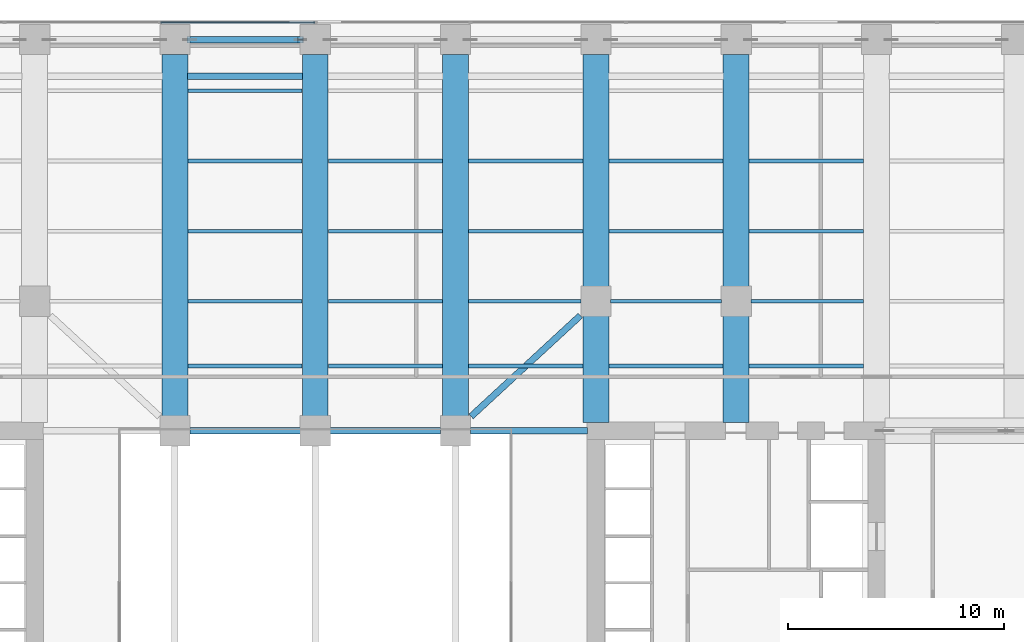
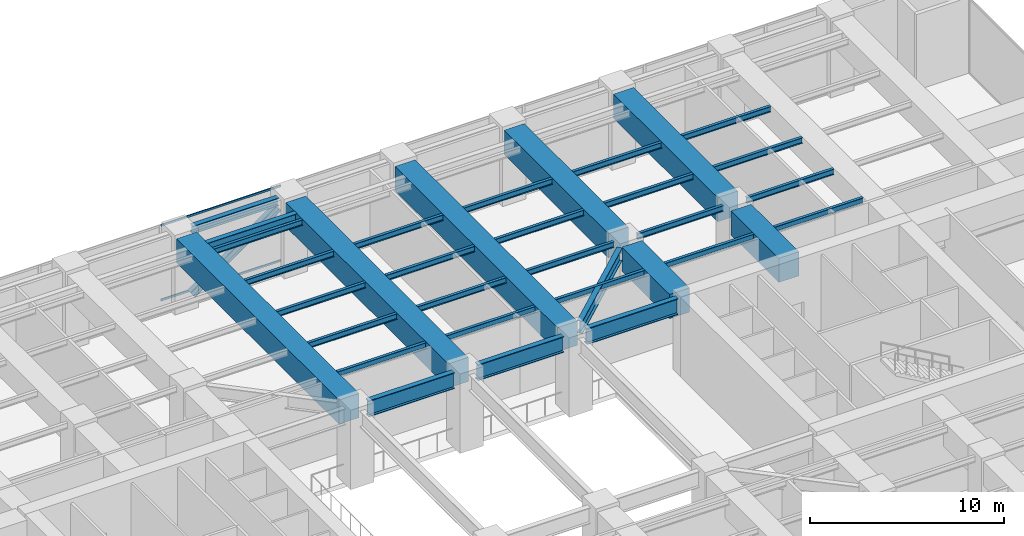
# One storey, part 11 of 31: 34 beams, 3 members, 1 element without a shape of its own.
"""IFC4 building model written with IfcOpenShell, lengths in metres."""

from ifc_helpers import new_model, si_unit, direction, frame, origin, origin_2d, place, context, subcontext, project, spatial, rectangle, i_section, extrude, material, layer, layer_set, material_profile, profile_set, type_object, element, aggregate, save


model = new_model("IFC4")

# Units and contexts
model_context = context("Model", 3, precision=1e-05, world=origin(), true_north=direction((0.0, 1.0)))
body_context = subcontext(model_context, "Body", "Model", "MODEL_VIEW")
ifc_project = project(units=[si_unit("LENGTHUNIT", "METRE"), si_unit("AREAUNIT", "SQUARE_METRE"), si_unit("VOLUMEUNIT", "CUBIC_METRE"), si_unit("PLANEANGLEUNIT", "RADIAN"), si_unit("MASSUNIT", "GRAM", prefix="KILO")], contexts=[model_context])

# Site, building, storey
site_placement = place(None, origin())
site = spatial("IfcSite", under=ifc_project, at=site_placement, CompositionType="ELEMENT")
building_placement = place(site_placement, origin())
building = spatial("IfcBuilding", under=site, at=building_placement, Name="Putna Gate Headquarters", CompositionType="ELEMENT")
storey_placement = place(building_placement, frame((0.0, 0.0, 81.0)))
storey = spatial("IfcBuildingStorey", under=building, at=storey_placement, Name="L19", CompositionType="ELEMENT", Elevation=81.0)

# Beams
ifc_material_1 = material(Name="Steel S355J2", Category="steel")
ifc_material_profile_1 = material_profile(ifc_material_1, i_section(OverallWidth=0.300048828125, OverallDepth=0.800048828125, WebThickness=0.017578125, FlangeThickness=0.032958984375, at=origin_2d()), Name="Steel S355J2")
ifc_profile_set_1 = profile_set([ifc_material_profile_1], Name="Steel S355J2")
beam_type_1 = type_object("IfcBeamType", Name="BM-GIRD-P-HEB800", PredefinedType="USERDEFINED", material=ifc_profile_set_1)
beam_1_placement = place(storey_placement, frame((51.281982421875, 38.337158203125, 4.364990234375), z_axis=(-0.734811593747, -0.678271274414, 0.0), x_axis=(0.678271274414, -0.734811593747, 0.0)))
element("IfcBeam", 1, at=beam_1_placement, inside=storey, type_object=beam_type_1, Name="L19 Core Flank Collector Tie Girder NE", ObjectType="GIRDER", PredefinedType="USERDEFINED", context=body_context, shape_type="SweptSolid", body=[
    extrude(i_section(OverallWidth=0.300048828125, OverallDepth=0.800048828125, WebThickness=0.017578125, FlangeThickness=0.032958984375, at=origin_2d()), origin(), (0.0, 0.0, 1.0), 6.8916015625),
])
ifc_material_profile_2 = material_profile(ifc_material_1, i_section(OverallWidth=0.169921875, OverallDepth=0.360107421875, WebThickness=0.008056640625, FlangeThickness=0.0126953125, at=origin_2d()), Name="Steel S355J2")
ifc_profile_set_2 = profile_set([ifc_material_profile_2], Name="Steel S355J2")
beam_type_2 = type_object("IfcBeamType", Name="BM-SEC-Z2-IPE360", PredefinedType="BEAM", material=ifc_profile_set_2)
for number, where, z_axis, x_axis, name in (
    (2, (33.10400390625, 36.0, 4.5849609375), (1.0, 0.0, 0.0), (0.0, 1.0, 0.0), "L19 North Secondary Beam 5"),
    (3, (33.10400390625, 39.0, 4.5849609375), (1.0, 0.0, 0.0), (0.0, 1.0, 0.0), "L19 North Secondary Beam 5"),
    (4, (33.10400390625, 42.25, 4.5849609375), (1.0, 0.0, 0.0), (0.0, 1.0, 0.0), "L19 North Secondary Beam 5"),
    (5, (33.10400390625, 45.5, 4.5849609375), (1.0, 0.0, 0.0), (0.0, 1.0, 0.0), "L19 North Secondary Beam 5"),
    (6, (33.10400390625, 48.75, 4.5849609375), (1.0, 0.0, 0.0), (0.0, 1.0, 0.0), "L19 North Secondary Beam 5"),
    (7, (39.60400390625, 36.0, 4.5849609375), (1.0, 0.0, 0.0), (0.0, 1.0, 0.0), "L19 North Secondary Beam 6"),
    (8, (39.60400390625, 39.0, 4.5849609375), (1.0, 0.0, 0.0), (0.0, 1.0, 0.0), "L19 North Secondary Beam 6"),
    (9, (39.60400390625, 42.25, 4.5849609375), (1.0, 0.0, 0.0), (0.0, 1.0, 0.0), "L19 North Secondary Beam 6"),
    (10, (39.60400390625, 45.5, 4.5849609375), (1.0, 0.0, 0.0), (0.0, 1.0, 0.0), "L19 North Secondary Beam 6"),
    (11, (46.10400390625, 36.0, 4.5849609375), (1.0, 0.0, 0.0), (0.0, 1.0, 0.0), "L19 North Secondary Beam 7"),
):
    element("IfcBeam", number, at=place(storey_placement, frame(where, z_axis=z_axis, x_axis=x_axis)), inside=storey, type_object=beam_type_2, Name=name, PredefinedType="BEAM", context=body_context, shape_type="SweptSolid", body=[
        extrude(i_section(OverallWidth=0.169921875, OverallDepth=0.360107421875, WebThickness=0.008056640625, FlangeThickness=0.0126953125, at=origin_2d()), origin(), (0.0, 0.0, 1.0), 5.2919921875),
    ])
beam_2_placement = place(storey_placement, frame((46.10400390625, 39.0, 4.5849609375), z_axis=(1.0, 0.0, 0.0), x_axis=(0.0, 1.0, 0.0)))
element("IfcBeam", 12, at=beam_2_placement, inside=storey, type_object=beam_type_2, Name="L19 North Secondary Beam 7", PredefinedType="BEAM", context=body_context, shape_type="SweptSolid", body=[
    extrude(i_section(OverallWidth=0.169921875, OverallDepth=0.360107421875, WebThickness=0.008056640625, FlangeThickness=0.0126953125, at=origin_2d()), origin(), (0.0, 0.0, 1.0), 5.2080078125),
])
for number, where, z_axis, x_axis, name in (
    (13, (46.10400390625, 42.25, 4.5849609375), (1.0, 0.0, 0.0), (0.0, 1.0, 0.0), "L19 North Secondary Beam 7"),
    (14, (46.10400390625, 45.5, 4.5849609375), (1.0, 0.0, 0.0), (0.0, 1.0, 0.0), "L19 North Secondary Beam 7"),
    (15, (52.60400390625, 36.0, 4.5849609375), (1.0, 0.0, 0.0), (0.0, 1.0, 0.0), "L19 North Secondary Beam 8"),
):
    element("IfcBeam", number, at=place(storey_placement, frame(where, z_axis=z_axis, x_axis=x_axis)), inside=storey, type_object=beam_type_2, Name=name, PredefinedType="BEAM", context=body_context, shape_type="SweptSolid", body=[
        extrude(i_section(OverallWidth=0.169921875, OverallDepth=0.360107421875, WebThickness=0.008056640625, FlangeThickness=0.0126953125, at=origin_2d()), origin(), (0.0, 0.0, 1.0), 5.2919921875),
    ])
beam_3_placement = place(storey_placement, frame((52.68798828125, 39.0, 4.5849609375), z_axis=(1.0, 0.0, 0.0), x_axis=(0.0, 1.0, 0.0)))
element("IfcBeam", 16, at=beam_3_placement, inside=storey, type_object=beam_type_2, Name="L19 North Secondary Beam 8", PredefinedType="BEAM", context=body_context, shape_type="SweptSolid", body=[
    extrude(i_section(OverallWidth=0.169921875, OverallDepth=0.360107421875, WebThickness=0.008056640625, FlangeThickness=0.0126953125, at=origin_2d()), origin(), (0.0, 0.0, 1.0), 5.1240234375),
])
for number, where, z_axis, x_axis, name in (
    (17, (52.60400390625, 42.25, 4.5849609375), (1.0, 0.0, 0.0), (0.0, 1.0, 0.0), "L19 North Secondary Beam 8"),
    (18, (52.60400390625, 45.5, 4.5849609375), (1.0, 0.0, 0.0), (0.0, 1.0, 0.0), "L19 North Secondary Beam 8"),
    (19, (59.10400390625, 36.0, 4.5849609375), (1.0, 0.0, 0.0), (0.0, 1.0, 0.0), "L19 North Secondary Beam 9"),
):
    element("IfcBeam", number, at=place(storey_placement, frame(where, z_axis=z_axis, x_axis=x_axis)), inside=storey, type_object=beam_type_2, Name=name, PredefinedType="BEAM", context=body_context, shape_type="SweptSolid", body=[
        extrude(i_section(OverallWidth=0.169921875, OverallDepth=0.360107421875, WebThickness=0.008056640625, FlangeThickness=0.0126953125, at=origin_2d()), origin(), (0.0, 0.0, 1.0), 5.2919921875),
    ])
beam_4_placement = place(storey_placement, frame((59.18798828125, 39.0, 4.5849609375), z_axis=(1.0, 0.0, 0.0), x_axis=(0.0, 1.0, 0.0)))
element("IfcBeam", 20, at=beam_4_placement, inside=storey, type_object=beam_type_2, Name="L19 North Secondary Beam 9", PredefinedType="BEAM", context=body_context, shape_type="SweptSolid", body=[
    extrude(i_section(OverallWidth=0.169921875, OverallDepth=0.360107421875, WebThickness=0.008056640625, FlangeThickness=0.0126953125, at=origin_2d()), origin(), (0.0, 0.0, 1.0), 5.2080078125),
])
for number, where, z_axis, x_axis, name in (
    (21, (59.10400390625, 42.25, 4.5849609375), (1.0, 0.0, 0.0), (0.0, 1.0, 0.0), "L19 North Secondary Beam 9"),
    (22, (59.10400390625, 45.5, 4.5849609375), (1.0, 0.0, 0.0), (0.0, 1.0, 0.0), "L19 North Secondary Beam 9"),
):
    element("IfcBeam", number, at=place(storey_placement, frame(where, z_axis=z_axis, x_axis=x_axis)), inside=storey, type_object=beam_type_2, Name=name, PredefinedType="BEAM", context=body_context, shape_type="SweptSolid", body=[
        extrude(i_section(OverallWidth=0.169921875, OverallDepth=0.360107421875, WebThickness=0.008056640625, FlangeThickness=0.0126953125, at=origin_2d()), origin(), (0.0, 0.0, 1.0), 5.2919921875),
    ])
ifc_material_profile_3 = material_profile(ifc_material_1, i_section(OverallWidth=0.300048828125, OverallDepth=0.489990234375, WebThickness=0.011962890625, FlangeThickness=0.02294921875, at=origin_2d()), Name="Steel S355J2")
ifc_profile_set_3 = profile_set([ifc_material_profile_3], Name="Steel S355J2")
beam_type_3 = type_object("IfcBeamType", Name="BM-SPAN-Z2-HEA500", PredefinedType="SPANDREL", material=ifc_profile_set_3)
beam_5_placement = place(storey_placement, frame((33.18798828125, 51.1201171875, 4.52001953125), z_axis=(1.0, 0.0, 0.0), x_axis=(0.0, 1.0, 0.0)))
element("IfcBeam", 23, at=beam_5_placement, inside=storey, type_object=beam_type_3, Name="L19 N Perimeter Spandrel 5", PredefinedType="SPANDREL", context=body_context, shape_type="SweptSolid", body=[
    extrude(i_section(OverallWidth=0.300048828125, OverallDepth=0.489990234375, WebThickness=0.011962890625, FlangeThickness=0.02294921875, at=origin_2d()), origin(), (0.0, 0.0, 1.0), 5.1240234375),
])
beam_6_placement = place(storey_placement, frame((33.0849609375, 49.419921875, 4.52001953125), z_axis=(1.0, 0.0, 0.0), x_axis=(0.0, 1.0, 0.0)))
element("IfcBeam", 24, at=beam_6_placement, inside=storey, type_object=beam_type_3, Name="L19 Setback Edge Beam N5", PredefinedType="SPANDREL", context=body_context, shape_type="SweptSolid", body=[
    extrude(i_section(OverallWidth=0.300048828125, OverallDepth=0.489990234375, WebThickness=0.011962890625, FlangeThickness=0.02294921875, at=origin_2d()), origin(), (0.0, 0.0, 1.0), 5.330078125),
])
ifc_material_2 = material(Name="Steel S460M", Category="steel")
ifc_material_profile_4 = material_profile(ifc_material_2, i_section(OverallWidth=0.302001953125, OverallDepth=1.008056640625, WebThickness=0.02099609375, FlangeThickness=0.0400390625, at=origin_2d()), Name="Steel S460M")
ifc_profile_set_4 = profile_set([ifc_material_profile_4], Name="Steel S460M")
beam_type_4 = type_object("IfcBeamType", Name="BM-TG-HEM1000", PredefinedType="USERDEFINED", material=ifc_profile_set_4)
for number, where, z_axis, x_axis, name in (
    (25, (33.18798828125, 33.0, 4.260986328125), (1.0, 0.0, 0.0), (0.0, 1.0, 0.0), "L19 Atrium Edge Beam AN2"),
    (26, (39.68798828125, 33.0, 4.260986328125), (1.0, 0.0, 0.0), (0.0, 1.0, 0.0), "L19 Atrium Edge Beam AN3"),
):
    element("IfcBeam", number, at=place(storey_placement, frame(where, z_axis=z_axis, x_axis=x_axis)), inside=storey, type_object=beam_type_4, Name=name, ObjectType="GIRDER", PredefinedType="USERDEFINED", context=body_context, shape_type="SweptSolid", body=[
        extrude(i_section(OverallWidth=0.302001953125, OverallDepth=1.008056640625, WebThickness=0.02099609375, FlangeThickness=0.0400390625, at=origin_2d()), origin(), (0.0, 0.0, 1.0), 5.1240234375),
    ])
beam_7_placement = place(storey_placement, frame((46.18798828125, 33.0, 4.260986328125), z_axis=(1.0, 0.0, 0.0), x_axis=(0.0, 1.0, 0.0)))
element("IfcBeam", 27, at=beam_7_placement, inside=storey, type_object=beam_type_4, Name="L19 Atrium Edge Beam AN4", ObjectType="GIRDER", PredefinedType="USERDEFINED", context=body_context, shape_type="SweptSolid", body=[
    extrude(i_section(OverallWidth=0.302001953125, OverallDepth=1.008056640625, WebThickness=0.02099609375, FlangeThickness=0.0400390625, at=origin_2d()), origin(), (0.0, 0.0, 1.0), 5.427001953125),
])
ifc_material_3 = material(Name="Concrete C50/60", Category="concrete")
ifc_material_profile_5 = material_profile(ifc_material_3, rectangle(XDim=1.199951171875, YDim=1.52001953125, at=origin_2d()), Name="Concrete C50/60")
ifc_profile_set_5 = profile_set([ifc_material_profile_5], Name="Concrete C50/60")
beam_type_5 = type_object("IfcBeamType", Name="BM-TG-RC1520", PredefinedType="USERDEFINED", material=ifc_profile_set_5)
for number, where, z_axis, x_axis, name in (
    (28, (32.5, 33.68798828125, 4.0048828125), (0.0, 1.0, 0.0), (-1.0, 0.0, 0.0), "L19 North Primary Girder X32"),
    (29, (39.0, 33.68798828125, 4.0048828125), (0.0, 1.0, 0.0), (-1.0, 0.0, 0.0), "L19 North Primary Girder X39"),
    (30, (45.5, 33.68798828125, 4.0048828125), (0.0, 1.0, 0.0), (-1.0, 0.0, 0.0), "L19 North Primary Girder X45"),
):
    element("IfcBeam", number, at=place(storey_placement, frame(where, z_axis=z_axis, x_axis=x_axis)), inside=storey, type_object=beam_type_5, Name=name, ObjectType="GIRDER", PredefinedType="USERDEFINED", context=body_context, shape_type="SweptSolid", body=[
        extrude(rectangle(XDim=1.199951171875, YDim=1.52001953125, at=origin_2d()), origin(), (0.0, 0.0, 1.0), 16.743896484375),
    ])
beam_8_placement = place(storey_placement, frame((52.0, 33.385009765625, 4.0048828125), z_axis=(0.0, 1.0, 0.0), x_axis=(-1.0, 0.0, 0.0)))
element("IfcBeam", 31, at=beam_8_placement, inside=storey, type_object=beam_type_5, Name="L19 North Primary Girder X52-1", ObjectType="GIRDER", PredefinedType="USERDEFINED", context=body_context, shape_type="SweptSolid", body=[
    extrude(rectangle(XDim=1.199951171875, YDim=1.52001953125, at=origin_2d()), origin(), (0.0, 0.0, 1.0), 4.927001953125),
])
beam_9_placement = place(storey_placement, frame((52.0, 39.68798828125, 4.0048828125), z_axis=(0.0, 1.0, 0.0), x_axis=(-1.0, 0.0, 0.0)))
element("IfcBeam", 32, at=beam_9_placement, inside=storey, type_object=beam_type_5, Name="L19 North Primary Girder X52-2", ObjectType="GIRDER", PredefinedType="USERDEFINED", context=body_context, shape_type="SweptSolid", body=[
    extrude(rectangle(XDim=1.199951171875, YDim=1.52001953125, at=origin_2d()), origin(), (0.0, 0.0, 1.0), 10.743896484375),
])
beam_10_placement = place(storey_placement, frame((58.5, 33.385009765625, 4.0048828125), z_axis=(0.0, 1.0, 0.0), x_axis=(-1.0, 0.0, 0.0)))
element("IfcBeam", 33, at=beam_10_placement, inside=storey, type_object=beam_type_5, Name="L19 North Primary Girder X58-1", ObjectType="GIRDER", PredefinedType="USERDEFINED", context=body_context, shape_type="SweptSolid", body=[
    extrude(rectangle(XDim=1.199951171875, YDim=1.52001953125, at=origin_2d()), origin(), (0.0, 0.0, 1.0), 4.927001953125),
])
beam_11_placement = place(storey_placement, frame((58.5, 39.68798828125, 4.0048828125), z_axis=(0.0, 1.0, 0.0), x_axis=(-1.0, 0.0, 0.0)))
element("IfcBeam", 34, at=beam_11_placement, inside=storey, type_object=beam_type_5, Name="L19 North Primary Girder X58-2", ObjectType="GIRDER", PredefinedType="USERDEFINED", context=body_context, shape_type="SweptSolid", body=[
    extrude(rectangle(XDim=1.199951171875, YDim=1.52001953125, at=origin_2d()), origin(), (0.0, 0.0, 1.0), 10.743896484375),
])

# Member
ifc_material_profile_6 = material_profile(ifc_material_2, i_section(OverallWidth=0.306884765625, OverallDepth=0.47802734375, WebThickness=0.02099609375, FlangeThickness=0.0400390625, at=origin_2d()), Name="Steel S460M")
ifc_profile_set_6 = profile_set([ifc_material_profile_6], Name="Steel S460M")
member_type_1 = type_object("IfcMemberType", Name="MEM-BELT-DIAG-HEM450", PredefinedType="BRACE", material=ifc_profile_set_6)
member_1_placement = place(storey_placement, frame((33.18505859375, 51.1201171875, 0.449951171875), z_axis=(0.813670670629, 0.0, 0.581326104487), x_axis=(0.0, 1.0, 0.0)))
element("IfcMember", 35, at=member_1_placement, inside=storey, type_object=member_type_1, Name="L19 Belt Truss Diagonal N5", PredefinedType="BRACE", context=body_context, shape_type="SweptSolid", body=[
    extrude(i_section(OverallWidth=0.306884765625, OverallDepth=0.47802734375, WebThickness=0.02099609375, FlangeThickness=0.0400390625, at=origin_2d()), origin(), (0.0, 0.0, 1.0), 6.3046875),
])

# Curtain wall, members
ifc_material_4 = material(Name="Anodised bronze aluminium curtain wall", Category="aluminium")
ifc_layer = layer(ifc_material_4, 0.159912109375)
ifc_layer_set = layer_set([ifc_layer], Name="Anodised bronze aluminium curtain wall")
curtain_wall_type = type_object("IfcCurtainWallType", Name="CW-SYS-CRN", PredefinedType="USERDEFINED", material=ifc_layer_set)
curtain_wall_placement = place(storey_placement, origin())
curtain_wall = element("IfcCurtainWall", 36, at=curtain_wall_placement, inside=storey, type_object=curtain_wall_type, Name="L19 Acoustic Louvre North Enclosure", ObjectType="STICK CURTAIN WALL", PredefinedType="USERDEFINED")
ifc_material_5 = material(Name="Anodised bronze aluminium EN AW-6060", Category="aluminium")
ifc_material_profile_7 = material_profile(ifc_material_5, rectangle(XDim=0.06494140625, YDim=0.1201171875, at=origin_2d()), Name="Anodised bronze aluminium EN AW-6060")
ifc_profile_set_7 = profile_set([ifc_material_profile_7], Name="Anodised bronze aluminium EN AW-6060")
member_type_2 = type_object("IfcMemberType", Name="TRAN-CWT-CR", PredefinedType="USERDEFINED", material=ifc_profile_set_7)
member_2_placement = place(storey_placement, frame((31.83251953125, 51.919921875, 0.032470703125), z_axis=(1.0, 0.0, 0.0), x_axis=(0.0, 1.0, 0.0)))
member_2 = element("IfcMember", 37, at=member_2_placement, type_object=member_type_2, Name="CWS-CR transom 5.1", ObjectType="TRANSOM", PredefinedType="USERDEFINED", context=body_context, shape_type="SweptSolid", body=[
    extrude(rectangle(XDim=0.06494140625, YDim=0.1201171875, at=origin_2d()), origin(), (0.0, 0.0, 1.0), 7.135009765625),
])
member_3_placement = place(storey_placement, frame((31.83251953125, 51.919921875, 4.732421875), z_axis=(1.0, 0.0, 0.0), x_axis=(0.0, 1.0, 0.0)))
member_3 = element("IfcMember", 38, at=member_3_placement, type_object=member_type_2, Name="CWS-CR transom 5.2", ObjectType="TRANSOM", PredefinedType="USERDEFINED", context=body_context, shape_type="SweptSolid", body=[
    extrude(rectangle(XDim=0.06494140625, YDim=0.1201171875, at=origin_2d()), origin(), (0.0, 0.0, 1.0), 7.135009765625),
])
aggregate(curtain_wall, [member_2, member_3])

save(model, "model.ifc")
